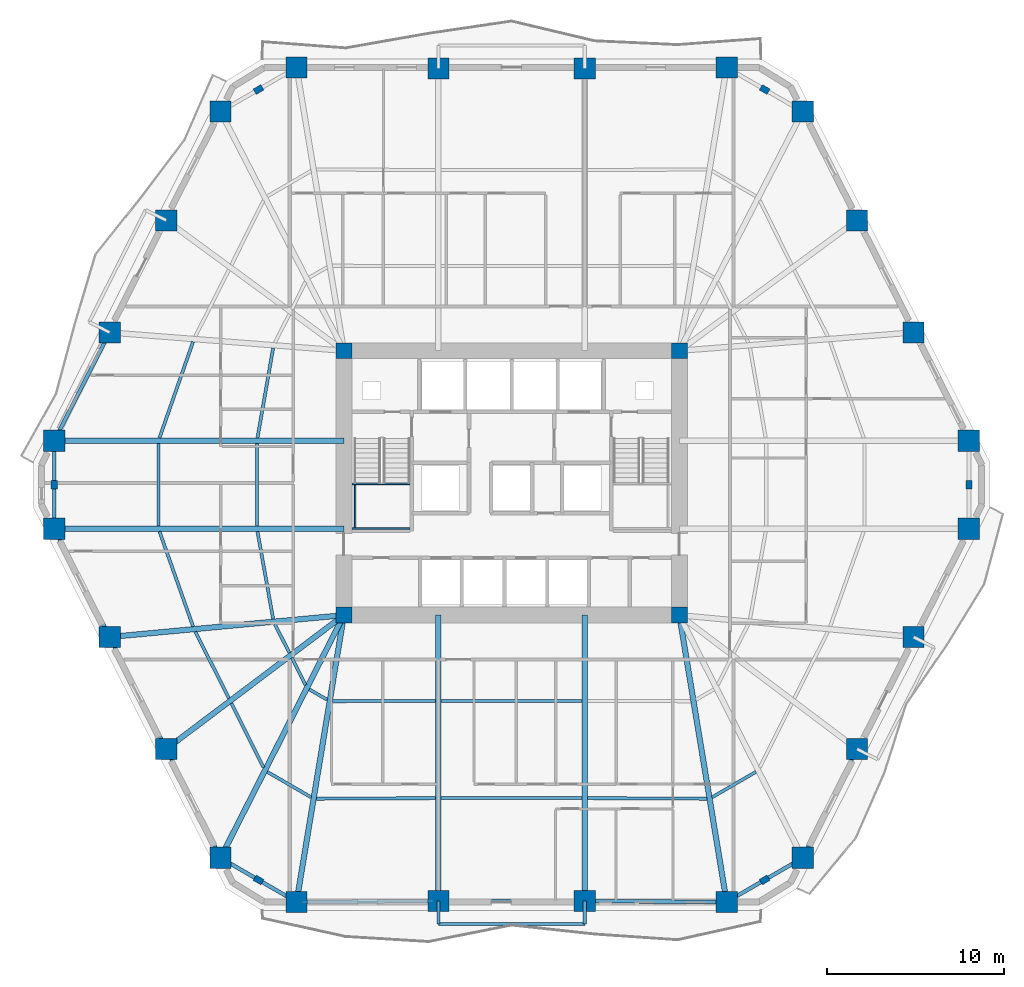
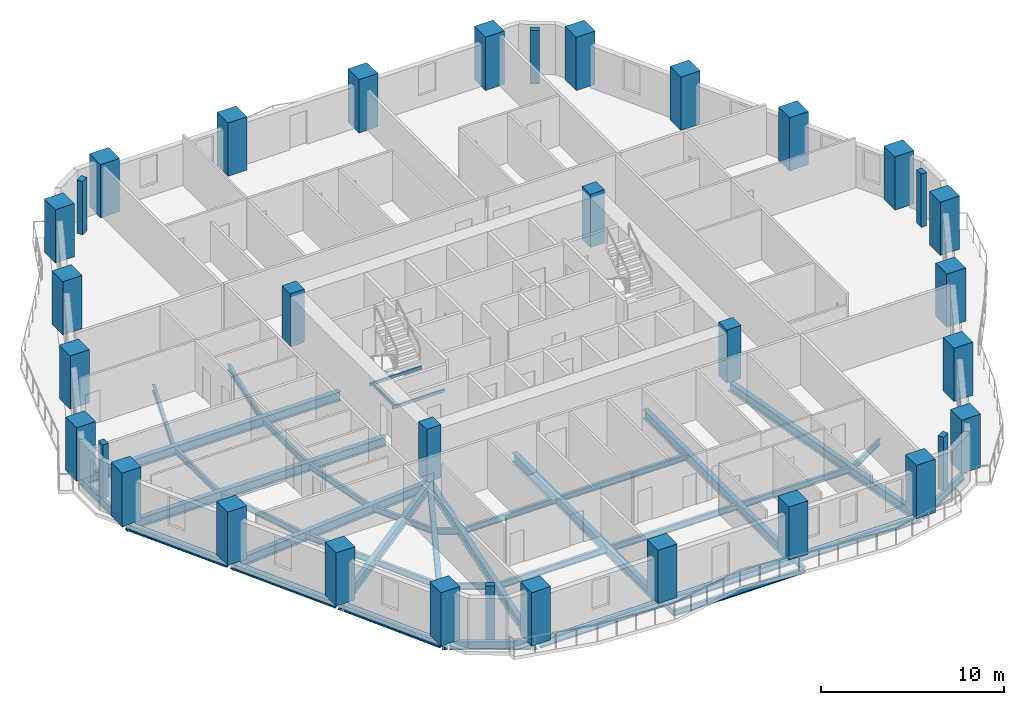
# One storey, part 1 of 12: 44 beams, 34 columns.
"""IFC4 building model written with IfcOpenShell, lengths in metres."""

from ifc_helpers import new_model, si_unit, direction, frame, origin, origin_2d, place, context, subcontext, project, spatial, rectangle, hollow_rectangle, i_section, extrude, material, material_profile, profile_set, type_object, element, save


model = new_model("IFC4")

# Units and contexts
model_context = context("Model", 3, precision=1e-05, world=origin(), true_north=direction((0.0, 1.0)))
body_context = subcontext(model_context, "Body", "Model", "MODEL_VIEW")
ifc_project = project(units=[si_unit("LENGTHUNIT", "METRE"), si_unit("AREAUNIT", "SQUARE_METRE"), si_unit("VOLUMEUNIT", "CUBIC_METRE"), si_unit("PLANEANGLEUNIT", "RADIAN"), si_unit("MASSUNIT", "GRAM", prefix="KILO")], contexts=[model_context])

# Site, building, storey
site_placement = place(None, origin())
site = spatial("IfcSite", under=ifc_project, at=site_placement, CompositionType="ELEMENT")
building_placement = place(site_placement, origin())
building = spatial("IfcBuilding", under=site, at=building_placement, Name="Cinnabar Lancet Tower", CompositionType="ELEMENT")
storey_placement = place(building_placement, frame((0.0, 0.0, 32.0)))
storey = spatial("IfcBuildingStorey", under=building, at=storey_placement, Name="L07", CompositionType="ELEMENT", Elevation=32.0)

# Columns
ifc_material_1 = material(Name="Concrete C80/95", Category="concrete")
ifc_material_profile_1 = material_profile(ifc_material_1, rectangle(XDim=0.89990234375, YDim=0.89990234375, at=origin_2d()), Name="RC-COL 900x900")
ifc_profile_set_1 = profile_set([ifc_material_profile_1], Name="Concrete C80/95")
column_type_1 = type_object("IfcColumnType", Name="STR-COL-CORE-900", PredefinedType="COLUMN", material=ifc_profile_set_1)
for number, where, z_axis, x_axis, name in (
    (1, (22.949951171875, 18.449951171875, 0.0), (0.0, 0.0, 1.0), (1.0, 0.0, 0.0), "L07 Core Corner Column SW"),
    (2, (41.85009765625, 18.449951171875, 0.0), (0.0, 0.0, 1.0), (1.0, 0.0, 0.0), "L07 Core Corner Column SE"),
    (3, (41.85009765625, 33.35009765625, 0.0), (0.0, 0.0, 1.0), (1.0, 0.0, 0.0), "L07 Core Corner Column NE"),
    (4, (22.949951171875, 33.35009765625, 0.0), (0.0, 0.0, 1.0), (1.0, 0.0, 0.0), "L07 Core Corner Column NW"),
):
    element("IfcColumn", number, at=place(storey_placement, frame(where, z_axis=z_axis, x_axis=x_axis)), inside=storey, type_object=column_type_1, Name=name, PredefinedType="COLUMN", context=body_context, shape_type="SweptSolid", body=[
        extrude(rectangle(XDim=0.89990234375, YDim=0.89990234375, at=origin_2d()), origin(), (0.0, 0.0, 1.0), 3.550048828125),
    ])
ifc_material_2 = material(Name="Concrete C60/75", Category="concrete")
ifc_material_profile_2 = material_profile(ifc_material_2, rectangle(XDim=0.5, YDim=0.35009765625, at=origin_2d()), Name="RC-PIL 500x350")
ifc_profile_set_2 = profile_set([ifc_material_profile_2], Name="Concrete C60/75")
column_type_2 = type_object("IfcColumnType", Name="STR-COL-PIL-500", PredefinedType="PILASTER", material=ifc_profile_set_2)
for number, where, z_axis, x_axis, name in (
    (5, (18.139892578125, 3.531005859375, 0.0), (0.0, 0.0, 1.0), (0.865195182343, -0.501435236546, 0.0), "L07 Chamfered Corner Pilaster 1"),
    (6, (46.659912109375, 3.531005859375, 0.0), (0.0, 0.0, 1.0), (0.865195182343, 0.501435236546, 0.0), "L07 Chamfered Corner Pilaster 2"),
    (7, (58.16796875, 25.800048828125, 0.0), (0.0, 0.0, 1.0), (0.0, 1.0, 0.0), "L07 Chamfered Corner Pilaster 3"),
    (8, (46.659912109375, 48.069091796875, 0.0), (0.0, 0.0, 1.0), (-0.865195182343, 0.501435236546, 0.0), "L07 Chamfered Corner Pilaster 4"),
    (9, (18.139892578125, 48.069091796875, 0.0), (0.0, 0.0, 1.0), (-0.865195182343, -0.501435236546, 0.0), "L07 Chamfered Corner Pilaster 5"),
    (10, (6.632080078125, 25.800048828125, 0.0), (0.0, 0.0, 1.0), (0.0, -1.0, 0.0), "L07 Chamfered Corner Pilaster 6"),
):
    element("IfcColumn", number, at=place(storey_placement, frame(where, z_axis=z_axis, x_axis=x_axis)), inside=storey, type_object=column_type_2, Name=name, PredefinedType="PILASTER", context=body_context, shape_type="SweptSolid", body=[
        extrude(rectangle(XDim=0.5, YDim=0.35009765625, at=origin_2d()), origin(), (0.0, 0.0, 1.0), 3.550048828125),
    ])
ifc_material_3 = material(Name="Concrete C80/95", Category="concrete")
ifc_material_profile_3 = material_profile(ifc_material_3, rectangle(XDim=1.199951171875, YDim=1.199951171875, at=origin_2d()), Name="RC-COL 1200x1200")
ifc_profile_set_3 = profile_set([ifc_material_profile_3], Name="Concrete C80/95")
column_type_3 = type_object("IfcColumnType", Name="STR-COL-TUBE-1200", PredefinedType="COLUMN", material=ifc_profile_set_3)
for number, where, z_axis, x_axis, name in (
    (11, (20.282958984375, 2.2890625, 0.0), (0.0, 0.0, 1.0), (1.0, 0.0, 0.0), "L07 Perimeter Tube Column 1"),
    (12, (28.278076171875, 2.342041015625, 0.0), (0.0, 0.0, 1.0), (1.0, 0.0, 0.0), "L07 Perimeter Tube Column 2"),
    (13, (36.52197265625, 2.342041015625, 0.0), (0.0, 0.0, 1.0), (1.0, 0.0, 0.0), "L07 Perimeter Tube Column 3"),
    (14, (44.51708984375, 2.2890625, 0.0), (0.0, 0.0, 1.0), (1.0, 0.0, 0.0), "L07 Perimeter Tube Column 4"),
    (15, (48.802978515625, 4.77294921875, 0.0), (0.0, 0.0, 1.0), (1.0, 0.0, 0.0), "L07 Perimeter Tube Column 5"),
    (16, (51.85888671875, 10.908935546875, 0.0), (0.0, 0.0, 1.0), (1.0, 0.0, 0.0), "L07 Perimeter Tube Column 6"),
    (17, (55.0458984375, 17.219970703125, 0.0), (0.0, 0.0, 1.0), (1.0, 0.0, 0.0), "L07 Perimeter Tube Column 7"),
    (18, (58.16796875, 23.31396484375, 0.0), (0.0, 0.0, 1.0), (1.0, 0.0, 0.0), "L07 Perimeter Tube Column 8"),
    (19, (58.16796875, 28.285888671875, 0.0), (0.0, 0.0, 1.0), (1.0, 0.0, 0.0), "L07 Perimeter Tube Column 9"),
    (20, (55.0458984375, 34.3798828125, 0.0), (0.0, 0.0, 1.0), (1.0, 0.0, 0.0), "L07 Perimeter Tube Column 10"),
    (21, (51.85888671875, 40.69091796875, 0.0), (0.0, 0.0, 1.0), (1.0, 0.0, 0.0), "L07 Perimeter Tube Column 11"),
    (22, (48.802978515625, 46.826904296875, 0.0), (0.0, 0.0, 1.0), (1.0, 0.0, 0.0), "L07 Perimeter Tube Column 12"),
    (23, (44.51708984375, 49.31103515625, 0.0), (0.0, 0.0, 1.0), (1.0, 0.0, 0.0), "L07 Perimeter Tube Column 13"),
    (24, (36.52197265625, 49.258056640625, 0.0), (0.0, 0.0, 1.0), (1.0, 0.0, 0.0), "L07 Perimeter Tube Column 14"),
    (25, (28.278076171875, 49.258056640625, 0.0), (0.0, 0.0, 1.0), (1.0, 0.0, 0.0), "L07 Perimeter Tube Column 15"),
    (26, (20.282958984375, 49.31103515625, 0.0), (0.0, 0.0, 1.0), (1.0, 0.0, 0.0), "L07 Perimeter Tube Column 16"),
    (27, (15.9970703125, 46.826904296875, 0.0), (0.0, 0.0, 1.0), (1.0, 0.0, 0.0), "L07 Perimeter Tube Column 17"),
    (28, (12.94091796875, 40.69091796875, 0.0), (0.0, 0.0, 1.0), (1.0, 0.0, 0.0), "L07 Perimeter Tube Column 18"),
    (29, (9.75390625, 34.3798828125, 0.0), (0.0, 0.0, 1.0), (1.0, 0.0, 0.0), "L07 Perimeter Tube Column 19"),
    (30, (6.632080078125, 28.285888671875, 0.0), (0.0, 0.0, 1.0), (1.0, 0.0, 0.0), "L07 Perimeter Tube Column 20"),
    (31, (6.632080078125, 23.31396484375, 0.0), (0.0, 0.0, 1.0), (1.0, 0.0, 0.0), "L07 Perimeter Tube Column 21"),
    (32, (9.75390625, 17.219970703125, 0.0), (0.0, 0.0, 1.0), (1.0, 0.0, 0.0), "L07 Perimeter Tube Column 22"),
    (33, (12.94091796875, 10.908935546875, 0.0), (0.0, 0.0, 1.0), (1.0, 0.0, 0.0), "L07 Perimeter Tube Column 23"),
    (34, (15.9970703125, 4.77294921875, 0.0), (0.0, 0.0, 1.0), (1.0, 0.0, 0.0), "L07 Perimeter Tube Column 24"),
):
    element("IfcColumn", number, at=place(storey_placement, frame(where, z_axis=z_axis, x_axis=x_axis)), inside=storey, type_object=column_type_3, Name=name, PredefinedType="COLUMN", context=body_context, shape_type="SweptSolid", body=[
        extrude(rectangle(XDim=1.199951171875, YDim=1.199951171875, at=origin_2d()), origin(), (0.0, 0.0, 1.0), 3.550048828125),
    ])

# Beams
ifc_material_4 = material(Name="Structural steel S355", Category="steel")
ifc_material_profile_4 = material_profile(ifc_material_4, i_section(OverallWidth=0.177978515625, OverallDepth=0.406494140625, WebThickness=0.0078125, FlangeThickness=0.0126953125, FilletRadius=0.01025390625, at=origin_2d()), Name="UKB 406x178x60")
ifc_profile_set_4 = profile_set([ifc_material_profile_4], Name="Structural steel S355")
beam_type_1 = type_object("IfcBeamType", Name="STR-BM-JST-406", PredefinedType="JOIST", material=ifc_profile_set_4)
beam_1_placement = place(storey_placement, frame((12.56103515625, 23.159912109375, -0.423095703125), z_axis=(0.333349133153, -0.942803455353, 0.0), x_axis=(0.942803455353, 0.333349133153, 0.0)))
element("IfcBeam", 35, at=beam_1_placement, inside=storey, type_object=beam_type_1, Name="L07 Secondary Floor Joist 1", PredefinedType="JOIST", context=body_context, shape_type="SweptSolid", body=[
    extrude(i_section(OverallWidth=0.177978515625, OverallDepth=0.406494140625, WebThickness=0.0078125, FlangeThickness=0.0126953125, FilletRadius=0.01025390625, at=origin_2d()), origin(), (0.0, 0.0, 1.0), 5.67236328125),
])
beam_2_placement = place(storey_placement, frame((18.08203125, 23.159912109375, -0.423095703125), z_axis=(0.176227857104, -0.984349400559, 0.0), x_axis=(0.984349400559, 0.176227857104, 0.0)))
element("IfcBeam", 36, at=beam_2_placement, inside=storey, type_object=beam_type_1, Name="L07 Secondary Floor Joist 2", PredefinedType="JOIST", context=body_context, shape_type="SweptSolid", body=[
    extrude(i_section(OverallWidth=0.177978515625, OverallDepth=0.406494140625, WebThickness=0.0078125, FlangeThickness=0.0126953125, FilletRadius=0.01025390625, at=origin_2d()), origin(), (0.0, 0.0, 1.0), 5.00537109375),
])
beam_3_placement = place(storey_placement, frame((14.5791015625, 17.51611328125, -0.423095703125), z_axis=(0.450717414682, -0.892666685893, 0.0), x_axis=(0.892666685893, 0.450717414682, 0.0)))
element("IfcBeam", 37, at=beam_3_placement, inside=storey, type_object=beam_type_1, Name="L07 Secondary Floor Joist 3", PredefinedType="JOIST", context=body_context, shape_type="SweptSolid", body=[
    extrude(i_section(OverallWidth=0.177978515625, OverallDepth=0.406494140625, WebThickness=0.0078125, FlangeThickness=0.0126953125, FilletRadius=0.01025390625, at=origin_2d()), origin(), (0.0, 0.0, 1.0), 4.204345703125),
])
beam_4_placement = place(storey_placement, frame((19.06591796875, 17.93408203125, -0.423095703125), z_axis=(0.450519589093, -0.892766542744, 0.0), x_axis=(0.892766542744, 0.450519589093, 0.0)))
element("IfcBeam", 38, at=beam_4_placement, inside=storey, type_object=beam_type_1, Name="L07 Secondary Floor Joist 4", PredefinedType="JOIST", context=body_context, shape_type="SweptSolid", body=[
    extrude(i_section(OverallWidth=0.177978515625, OverallDepth=0.406494140625, WebThickness=0.0078125, FlangeThickness=0.0126953125, FilletRadius=0.01025390625, at=origin_2d()), origin(), (0.0, 0.0, 1.0), 1.80029296875),
])
beam_5_placement = place(storey_placement, frame((16.614013671875, 13.48388671875, -0.423095703125), z_axis=(0.445835127839, -0.895115098065, 0.0), x_axis=(0.895115098065, 0.445835127839, 0.0)))
element("IfcBeam", 39, at=beam_5_placement, inside=storey, type_object=beam_type_1, Name="L07 Secondary Floor Joist 5", PredefinedType="JOIST", context=body_context, shape_type="SweptSolid", body=[
    extrude(i_section(OverallWidth=0.177978515625, OverallDepth=0.406494140625, WebThickness=0.0078125, FlangeThickness=0.0126953125, FilletRadius=0.01025390625, at=origin_2d()), origin(), (0.0, 0.0, 1.0), 4.03955078125),
])
beam_6_placement = place(storey_placement, frame((20.01708984375, 16.048095703125, -0.423095703125), z_axis=(0.44578468599, -0.895140220154, 0.0), x_axis=(0.895140220154, 0.44578468599, 0.0)))
element("IfcBeam", 40, at=beam_6_placement, inside=storey, type_object=beam_type_1, Name="L07 Secondary Floor Joist 6", PredefinedType="JOIST", context=body_context, shape_type="SweptSolid", body=[
    extrude(i_section(OverallWidth=0.177978515625, OverallDepth=0.406494140625, WebThickness=0.0078125, FlangeThickness=0.0126953125, FilletRadius=0.01025390625, at=origin_2d()), origin(), (0.0, 0.0, 1.0), 1.709228515625),
])
beam_7_placement = place(storey_placement, frame((18.633056640625, 9.6201171875, -0.423095703125), z_axis=(0.865076496111, -0.501639966387, 0.0), x_axis=(0.501639966387, 0.865076496111, 0.0)))
element("IfcBeam", 41, at=beam_7_placement, inside=storey, type_object=beam_type_1, Name="L07 Secondary Floor Joist 7", PredefinedType="JOIST", context=body_context, shape_type="SweptSolid", body=[
    extrude(i_section(OverallWidth=0.177978515625, OverallDepth=0.406494140625, WebThickness=0.0078125, FlangeThickness=0.0126953125, FilletRadius=0.01025390625, at=origin_2d()), origin(), (0.0, 0.0, 1.0), 2.85302734375),
])
beam_8_placement = place(storey_placement, frame((20.9970703125, 14.27001953125, -0.423095703125), z_axis=(0.865192550274, -0.50143977799, 0.0), x_axis=(0.50143977799, 0.865192550274, 0.0)))
element("IfcBeam", 42, at=beam_8_placement, inside=storey, type_object=beam_type_1, Name="L07 Secondary Floor Joist 8", PredefinedType="JOIST", context=body_context, shape_type="SweptSolid", body=[
    extrude(i_section(OverallWidth=0.177978515625, OverallDepth=0.406494140625, WebThickness=0.0078125, FlangeThickness=0.0126953125, FilletRadius=0.01025390625, at=origin_2d()), origin(), (0.0, 0.0, 1.0), 1.16845703125),
])
beam_9_placement = place(storey_placement, frame((21.39892578125, 8.10791015625, -0.423095703125), z_axis=(0.999988691939, 0.004755627628, 0.0), x_axis=(-0.004755627628, 0.999988691939, 0.0)))
element("IfcBeam", 43, at=beam_9_placement, inside=storey, type_object=beam_type_1, Name="L07 Secondary Floor Joist 9", PredefinedType="JOIST", context=body_context, shape_type="SweptSolid", body=[
    extrude(i_section(OverallWidth=0.177978515625, OverallDepth=0.406494140625, WebThickness=0.0078125, FlangeThickness=0.0126953125, FilletRadius=0.01025390625, at=origin_2d()), origin(), (0.0, 0.0, 1.0), 6.72509765625),
])
beam_10_placement = place(storey_placement, frame((22.305908203125, 13.60205078125, -0.423095703125), z_axis=(0.999996724007, 0.002559682773, 0.0), x_axis=(-0.002559682773, 0.999996724007, 0.0)))
element("IfcBeam", 44, at=beam_10_placement, inside=storey, type_object=beam_type_1, Name="L07 Secondary Floor Joist 10", PredefinedType="JOIST", context=body_context, shape_type="SweptSolid", body=[
    extrude(i_section(OverallWidth=0.177978515625, OverallDepth=0.406494140625, WebThickness=0.0078125, FlangeThickness=0.0126953125, FilletRadius=0.01025390625, at=origin_2d()), origin(), (0.0, 0.0, 1.0), 5.818115234375),
])
for number, where, z_axis, x_axis, name in (
    (45, (28.431884765625, 8.14111328125, -0.423095703125), (1.0, 0.0, 0.0), (0.0, 1.0, 0.0), "L07 Secondary Floor Joist 11"),
    (46, (28.431884765625, 13.617919921875, -0.423095703125), (1.0, 0.0, 0.0), (0.0, 1.0, 0.0), "L07 Secondary Floor Joist 12"),
):
    element("IfcBeam", number, at=place(storey_placement, frame(where, z_axis=z_axis, x_axis=x_axis)), inside=storey, type_object=beam_type_1, Name=name, PredefinedType="JOIST", context=body_context, shape_type="SweptSolid", body=[
        extrude(i_section(OverallWidth=0.177978515625, OverallDepth=0.406494140625, WebThickness=0.0078125, FlangeThickness=0.0126953125, FilletRadius=0.01025390625, at=origin_2d()), origin(), (0.0, 0.0, 1.0), 7.93603515625),
    ])
beam_11_placement = place(storey_placement, frame((36.676025390625, 8.139892578125, -0.423095703125), z_axis=(0.999988691118, -0.004755800274, 0.0), x_axis=(0.004755800274, 0.999988691118, 0.0)))
element("IfcBeam", 47, at=beam_11_placement, inside=storey, type_object=beam_type_1, Name="L07 Secondary Floor Joist 13", PredefinedType="JOIST", context=body_context, shape_type="SweptSolid", body=[
    extrude(i_section(OverallWidth=0.177978515625, OverallDepth=0.406494140625, WebThickness=0.0078125, FlangeThickness=0.0126953125, FilletRadius=0.01025390625, at=origin_2d()), origin(), (0.0, 0.0, 1.0), 6.724853515625),
])
beam_12_placement = place(storey_placement, frame((43.698974609375, 8.18896484375, -0.423095703125), z_axis=(0.865076496111, 0.501639966387, 0.0), x_axis=(-0.501639966387, 0.865076496111, 0.0)))
element("IfcBeam", 48, at=beam_12_placement, inside=storey, type_object=beam_type_1, Name="L07 Secondary Floor Joist 15", PredefinedType="JOIST", context=body_context, shape_type="SweptSolid", body=[
    extrude(i_section(OverallWidth=0.177978515625, OverallDepth=0.406494140625, WebThickness=0.0078125, FlangeThickness=0.0126953125, FilletRadius=0.01025390625, at=origin_2d()), origin(), (0.0, 0.0, 1.0), 2.85302734375),
])
beam_13_placement = place(storey_placement, frame((14.451904296875, 33.85888671875, -0.423095703125), z_axis=(-0.329607609001, -0.944118013857, 0.0), x_axis=(0.944118013857, -0.329607609001, 0.0)))
element("IfcBeam", 49, at=beam_13_placement, inside=storey, type_object=beam_type_1, Name="L07 Secondary Floor Joist 45", PredefinedType="JOIST", context=body_context, shape_type="SweptSolid", body=[
    extrude(i_section(OverallWidth=0.177978515625, OverallDepth=0.406494140625, WebThickness=0.0078125, FlangeThickness=0.0126953125, FilletRadius=0.01025390625, at=origin_2d()), origin(), (0.0, 0.0, 1.0), 5.73974609375),
])
beam_14_placement = place(storey_placement, frame((18.965087890625, 33.507080078125, -0.423095703125), z_axis=(-0.171867959611, -0.985119994954, 0.0), x_axis=(0.985119994954, -0.171867959611, 0.0)))
element("IfcBeam", 50, at=beam_14_placement, inside=storey, type_object=beam_type_1, Name="L07 Secondary Floor Joist 46", PredefinedType="JOIST", context=body_context, shape_type="SweptSolid", body=[
    extrude(i_section(OverallWidth=0.177978515625, OverallDepth=0.406494140625, WebThickness=0.0078125, FlangeThickness=0.0126953125, FilletRadius=0.01025390625, at=origin_2d()), origin(), (0.0, 0.0, 1.0), 5.1435546875),
])
for number, where, z_axis, x_axis, name in (
    (51, (12.506103515625, 28.132080078125, -0.423095703125), (0.0, -1.0, 0.0), (1.0, 0.0, 0.0), "L07 Secondary Floor Joist 47"),
    (52, (18.054931640625, 28.132080078125, -0.423095703125), (0.0, -1.0, 0.0), (1.0, 0.0, 0.0), "L07 Secondary Floor Joist 48"),
):
    element("IfcBeam", number, at=place(storey_placement, frame(where, z_axis=z_axis, x_axis=x_axis)), inside=storey, type_object=beam_type_1, Name=name, PredefinedType="JOIST", context=body_context, shape_type="SweptSolid", body=[
        extrude(i_section(OverallWidth=0.177978515625, OverallDepth=0.406494140625, WebThickness=0.0078125, FlangeThickness=0.0126953125, FilletRadius=0.01025390625, at=origin_2d()), origin(), (0.0, 0.0, 1.0), 4.6640625),
    ])
ifc_material_5 = material(Name="Structural steel S355", Category="steel")
ifc_material_profile_5 = material_profile(ifc_material_5, hollow_rectangle(XDim=0.10009765625, YDim=0.199951171875, WallThickness=0.008056640625, InnerFilletRadius=0.00390625, OuterFilletRadius=0.011962890625, at=origin_2d()), Name="RHS 200x100x8")
ifc_profile_set_5 = profile_set([ifc_material_profile_5], Name="Structural steel S355")
beam_type_2 = type_object("IfcBeamType", Name="STR-BM-LND-203", PredefinedType="BEAM", material=ifc_profile_set_5)
for number, where, z_axis, x_axis, name in (
    (53, (23.39990234375, 23.330078125, 1.47509765625), (1.0, 0.0, 0.0), (0.0, 1.0, 0.0), "L07 ST-1-L07 Landing Support Beam S"),
    (54, (23.39990234375, 25.844970703125, 1.47509765625), (1.0, 0.0, 0.0), (0.0, 1.0, 0.0), "L07 ST-1-L07 Landing Support Beam N"),
):
    element("IfcBeam", number, at=place(storey_placement, frame(where, z_axis=z_axis, x_axis=x_axis)), inside=storey, type_object=beam_type_2, Name=name, PredefinedType="BEAM", context=body_context, shape_type="SweptSolid", body=[
        extrude(hollow_rectangle(XDim=0.10009765625, YDim=0.199951171875, WallThickness=0.008056640625, InnerFilletRadius=0.00390625, OuterFilletRadius=0.011962890625, at=origin_2d()), origin(), (0.0, 0.0, 1.0), 3.280029296875),
    ])
beam_15_placement = place(storey_placement, frame((23.580078125, 23.3798828125, 1.47509765625), z_axis=(0.0, 1.0, 0.0), x_axis=(-1.0, 0.0, 0.0)))
element("IfcBeam", 55, at=beam_15_placement, inside=storey, type_object=beam_type_2, Name="L07 ST-1-L07 Landing Side Trimmer Beam", PredefinedType="BEAM", context=body_context, shape_type="SweptSolid", body=[
    extrude(hollow_rectangle(XDim=0.10009765625, YDim=0.199951171875, WallThickness=0.008056640625, InnerFilletRadius=0.00390625, OuterFilletRadius=0.011962890625, at=origin_2d()), origin(), (0.0, 0.0, 1.0), 2.4150390625),
])
ifc_material_6 = material(Name="Structural steel S355", Category="steel")
ifc_material_profile_6 = material_profile(ifc_material_6, i_section(OverallWidth=0.209228515625, OverallDepth=0.533203125, WebThickness=0.010009765625, FlangeThickness=0.015625, FilletRadius=0.0126953125, at=origin_2d()), Name="UKB 533x210x92")
ifc_profile_set_6 = profile_set([ifc_material_profile_6], Name="Structural steel S355")
beam_type_3 = type_object("IfcBeamType", Name="STR-BM-SPN-533", PredefinedType="SPANDREL", material=ifc_profile_set_6)
beam_16_placement = place(storey_placement, frame((20.532958984375, 2.291015625, -0.487060546875), z_axis=(0.99997856757, 0.006547090947, 0.0), x_axis=(-0.006547090947, 0.99997856757, 0.0)))
element("IfcBeam", 56, at=beam_16_placement, inside=storey, type_object=beam_type_3, Name="L07 Perimeter Spandrel 1", PredefinedType="SPANDREL", context=body_context, shape_type="SweptSolid", body=[
    extrude(i_section(OverallWidth=0.209228515625, OverallDepth=0.533203125, WebThickness=0.010009765625, FlangeThickness=0.015625, FilletRadius=0.0126953125, at=origin_2d()), origin(), (0.0, 0.0, 1.0), 7.495361328125),
])
beam_17_placement = place(storey_placement, frame((28.528076171875, 2.342041015625, -0.487060546875), z_axis=(1.0, 0.0, 0.0), x_axis=(0.0, 1.0, 0.0)))
element("IfcBeam", 57, at=beam_17_placement, inside=storey, type_object=beam_type_3, Name="L07 Perimeter Spandrel 2", PredefinedType="SPANDREL", context=body_context, shape_type="SweptSolid", body=[
    extrude(i_section(OverallWidth=0.209228515625, OverallDepth=0.533203125, WebThickness=0.010009765625, FlangeThickness=0.015625, FilletRadius=0.0126953125, at=origin_2d()), origin(), (0.0, 0.0, 1.0), 7.743896484375),
])
beam_18_placement = place(storey_placement, frame((36.77197265625, 2.340087890625, -0.487060546875), z_axis=(0.99997856757, -0.006547090947, 0.0), x_axis=(0.006547090947, 0.99997856757, 0.0)))
element("IfcBeam", 58, at=beam_18_placement, inside=storey, type_object=beam_type_3, Name="L07 Perimeter Spandrel 3", PredefinedType="SPANDREL", context=body_context, shape_type="SweptSolid", body=[
    extrude(i_section(OverallWidth=0.209228515625, OverallDepth=0.533203125, WebThickness=0.010009765625, FlangeThickness=0.015625, FilletRadius=0.0126953125, at=origin_2d()), origin(), (0.0, 0.0, 1.0), 7.495361328125),
])
beam_19_placement = place(storey_placement, frame((44.73291015625, 2.4140625, -0.487060546875), z_axis=(0.865171017323, 0.501476929463, 0.0), x_axis=(-0.501476929463, 0.865171017323, 0.0)))
element("IfcBeam", 59, at=beam_19_placement, inside=storey, type_object=beam_type_3, Name="L07 Perimeter Spandrel 4", PredefinedType="SPANDREL", context=body_context, shape_type="SweptSolid", body=[
    extrude(i_section(OverallWidth=0.209228515625, OverallDepth=0.533203125, WebThickness=0.010009765625, FlangeThickness=0.015625, FilletRadius=0.0126953125, at=origin_2d()), origin(), (0.0, 0.0, 1.0), 4.45458984375),
])
beam_20_placement = place(storey_placement, frame((48.9140625, 4.9970703125, -0.487060546875), z_axis=(0.445953050023, 0.89505635419, 0.0), x_axis=(-0.89505635419, 0.445953050023, 0.0)))
element("IfcBeam", 60, at=beam_20_placement, inside=storey, type_object=beam_type_3, Name="L07 Perimeter Spandrel 5", PredefinedType="SPANDREL", context=body_context, shape_type="SweptSolid", body=[
    extrude(i_section(OverallWidth=0.209228515625, OverallDepth=0.533203125, WebThickness=0.010009765625, FlangeThickness=0.015625, FilletRadius=0.0126953125, at=origin_2d()), origin(), (0.0, 0.0, 1.0), 6.35498046875),
])
beam_21_placement = place(storey_placement, frame((9.639892578125, 34.156982421875, -0.487060546875), z_axis=(-0.455994051912, -0.889982822655, 0.0), x_axis=(0.889982822655, -0.455994051912, 0.0)))
element("IfcBeam", 61, at=beam_21_placement, inside=storey, type_object=beam_type_3, Name="L07 Perimeter Spandrel 19", PredefinedType="SPANDREL", context=body_context, shape_type="SweptSolid", body=[
    extrude(i_section(OverallWidth=0.209228515625, OverallDepth=0.533203125, WebThickness=0.010009765625, FlangeThickness=0.015625, FilletRadius=0.0126953125, at=origin_2d()), origin(), (0.0, 0.0, 1.0), 6.34619140625),
])
beam_22_placement = place(storey_placement, frame((6.632080078125, 28.035888671875, -0.487060546875), z_axis=(0.0, -1.0, 0.0), x_axis=(1.0, 0.0, 0.0)))
element("IfcBeam", 62, at=beam_22_placement, inside=storey, type_object=beam_type_3, Name="L07 Perimeter Spandrel 20", PredefinedType="SPANDREL", context=body_context, shape_type="SweptSolid", body=[
    extrude(i_section(OverallWidth=0.209228515625, OverallDepth=0.533203125, WebThickness=0.010009765625, FlangeThickness=0.015625, FilletRadius=0.0126953125, at=origin_2d()), origin(), (0.0, 0.0, 1.0), 4.471923828125),
])
beam_23_placement = place(storey_placement, frame((6.74609375, 23.091064453125, -0.487060546875), z_axis=(0.455994051912, -0.889982822655, 0.0), x_axis=(0.889982822655, 0.455994051912, 0.0)))
element("IfcBeam", 63, at=beam_23_placement, inside=storey, type_object=beam_type_3, Name="L07 Perimeter Spandrel 21", PredefinedType="SPANDREL", context=body_context, shape_type="SweptSolid", body=[
    extrude(i_section(OverallWidth=0.209228515625, OverallDepth=0.533203125, WebThickness=0.010009765625, FlangeThickness=0.015625, FilletRadius=0.0126953125, at=origin_2d()), origin(), (0.0, 0.0, 1.0), 6.34619140625),
])
beam_24_placement = place(storey_placement, frame((9.866943359375, 16.9970703125, -0.487060546875), z_axis=(0.450673532306, -0.892688841242, 0.0), x_axis=(0.892688841242, 0.450673532306, 0.0)))
element("IfcBeam", 64, at=beam_24_placement, inside=storey, type_object=beam_type_3, Name="L07 Perimeter Spandrel 22", PredefinedType="SPANDREL", context=body_context, shape_type="SweptSolid", body=[
    extrude(i_section(OverallWidth=0.209228515625, OverallDepth=0.533203125, WebThickness=0.010009765625, FlangeThickness=0.015625, FilletRadius=0.0126953125, at=origin_2d()), origin(), (0.0, 0.0, 1.0), 6.570068359375),
])
beam_25_placement = place(storey_placement, frame((13.052001953125, 10.68505859375, -0.487060546875), z_axis=(0.445953050023, -0.89505635419, 0.0), x_axis=(0.89505635419, 0.445953050023, 0.0)))
element("IfcBeam", 65, at=beam_25_placement, inside=storey, type_object=beam_type_3, Name="L07 Perimeter Spandrel 23", PredefinedType="SPANDREL", context=body_context, shape_type="SweptSolid", body=[
    extrude(i_section(OverallWidth=0.209228515625, OverallDepth=0.533203125, WebThickness=0.010009765625, FlangeThickness=0.015625, FilletRadius=0.0126953125, at=origin_2d()), origin(), (0.0, 0.0, 1.0), 6.35498046875),
])
beam_26_placement = place(storey_placement, frame((16.212890625, 4.64794921875, -0.487060546875), z_axis=(0.865171017323, -0.501476929463, 0.0), x_axis=(0.501476929463, 0.865171017323, 0.0)))
element("IfcBeam", 66, at=beam_26_placement, inside=storey, type_object=beam_type_3, Name="L07 Perimeter Spandrel 24", PredefinedType="SPANDREL", context=body_context, shape_type="SweptSolid", body=[
    extrude(i_section(OverallWidth=0.209228515625, OverallDepth=0.533203125, WebThickness=0.010009765625, FlangeThickness=0.015625, FilletRadius=0.0126953125, at=origin_2d()), origin(), (0.0, 0.0, 1.0), 4.45458984375),
])
ifc_material_7 = material(Name="Structural steel S355", Category="steel")
ifc_material_profile_7 = material_profile(ifc_material_7, i_section(OverallWidth=0.30712890625, OverallDepth=0.6201171875, WebThickness=0.01416015625, FlangeThickness=0.023681640625, FilletRadius=0.0166015625, at=origin_2d()), Name="UKB 610x305x179")
ifc_profile_set_7 = profile_set([ifc_material_profile_7], Name="Structural steel S355")
beam_type_4 = type_object("IfcBeamType", Name="STR-BM-UKB610-179", PredefinedType="BEAM", material=ifc_profile_set_7)
beam_27_placement = place(storey_placement, frame((12.94091796875, 10.908935546875, -0.530029296875), z_axis=(0.798686588468, 0.601747233812, 0.0), x_axis=(-0.601747233812, 0.798686588468, 0.0)))
element("IfcBeam", 67, at=beam_27_placement, inside=storey, type_object=beam_type_4, Name="L07 Corner Collector Girder 1", PredefinedType="BEAM", context=body_context, shape_type="SweptSolid", body=[
    extrude(i_section(OverallWidth=0.30712890625, OverallDepth=0.6201171875, WebThickness=0.01416015625, FlangeThickness=0.023681640625, FilletRadius=0.0166015625, at=origin_2d()), origin(), (0.0, 0.0, 1.0), 12.531982421875),
])
beam_28_placement = place(storey_placement, frame((20.282958984375, 2.2890625, -0.530029296875), z_axis=(0.162825264118, 0.986654921117, 0.0), x_axis=(-0.986654921117, 0.162825264118, 0.0)))
element("IfcBeam", 68, at=beam_28_placement, inside=storey, type_object=beam_type_4, Name="L07 Primary Floor Girder 1", PredefinedType="BEAM", context=body_context, shape_type="SweptSolid", body=[
    extrude(i_section(OverallWidth=0.30712890625, OverallDepth=0.6201171875, WebThickness=0.01416015625, FlangeThickness=0.023681640625, FilletRadius=0.0166015625, at=origin_2d()), origin(), (0.0, 0.0, 1.0), 16.37939453125),
])
for number, where, z_axis, x_axis, name in (
    (69, (28.278076171875, 2.342041015625, -0.530029296875), (0.0, 1.0, 0.0), (-1.0, 0.0, 0.0), "L07 Primary Floor Girder 2"),
    (70, (36.52197265625, 2.342041015625, -0.530029296875), (0.0, 1.0, 0.0), (-1.0, 0.0, 0.0), "L07 Primary Floor Girder 3"),
):
    element("IfcBeam", number, at=place(storey_placement, frame(where, z_axis=z_axis, x_axis=x_axis)), inside=storey, type_object=beam_type_4, Name=name, PredefinedType="BEAM", context=body_context, shape_type="SweptSolid", body=[
        extrude(i_section(OverallWidth=0.30712890625, OverallDepth=0.6201171875, WebThickness=0.01416015625, FlangeThickness=0.023681640625, FilletRadius=0.0166015625, at=origin_2d()), origin(), (0.0, 0.0, 1.0), 16.10791015625),
    ])
beam_29_placement = place(storey_placement, frame((44.51708984375, 2.2890625, -0.530029296875), z_axis=(-0.162825264118, 0.986654921117, 0.0), x_axis=(-0.986654921117, -0.162825264118, 0.0)))
element("IfcBeam", 71, at=beam_29_placement, inside=storey, type_object=beam_type_4, Name="L07 Primary Floor Girder 4", PredefinedType="BEAM", context=body_context, shape_type="SweptSolid", body=[
    extrude(i_section(OverallWidth=0.30712890625, OverallDepth=0.6201171875, WebThickness=0.01416015625, FlangeThickness=0.023681640625, FilletRadius=0.0166015625, at=origin_2d()), origin(), (0.0, 0.0, 1.0), 16.37939453125),
])
for number, where, z_axis, x_axis, name in (
    (72, (6.632080078125, 28.285888671875, -0.530029296875), (1.0, 0.0, 0.0), (0.0, 1.0, 0.0), "L07 Primary Floor Girder 20"),
    (73, (6.632080078125, 23.31396484375, -0.530029296875), (1.0, 0.0, 0.0), (0.0, 1.0, 0.0), "L07 Primary Floor Girder 21"),
):
    element("IfcBeam", number, at=place(storey_placement, frame(where, z_axis=z_axis, x_axis=x_axis)), inside=storey, type_object=beam_type_4, Name=name, PredefinedType="BEAM", context=body_context, shape_type="SweptSolid", body=[
        extrude(i_section(OverallWidth=0.30712890625, OverallDepth=0.6201171875, WebThickness=0.01416015625, FlangeThickness=0.023681640625, FilletRadius=0.0166015625, at=origin_2d()), origin(), (0.0, 0.0, 1.0), 16.31787109375),
    ])
beam_30_placement = place(storey_placement, frame((9.75390625, 17.219970703125, -0.530029296875), z_axis=(0.995684210255, 0.092805998987, 0.0), x_axis=(-0.092805998987, 0.995684210255, 0.0)))
element("IfcBeam", 74, at=beam_30_placement, inside=storey, type_object=beam_type_4, Name="L07 Primary Floor Girder 22", PredefinedType="BEAM", context=body_context, shape_type="SweptSolid", body=[
    extrude(i_section(OverallWidth=0.30712890625, OverallDepth=0.6201171875, WebThickness=0.01416015625, FlangeThickness=0.023681640625, FilletRadius=0.0166015625, at=origin_2d()), origin(), (0.0, 0.0, 1.0), 13.253173828125),
])
beam_31_placement = place(storey_placement, frame((15.9970703125, 4.77294921875, -0.530029296875), z_axis=(0.453167599586, 0.89142533433, 0.0), x_axis=(-0.89142533433, 0.453167599586, 0.0)))
element("IfcBeam", 75, at=beam_31_placement, inside=storey, type_object=beam_type_4, Name="L07 Primary Floor Girder 24", PredefinedType="BEAM", context=body_context, shape_type="SweptSolid", body=[
    extrude(i_section(OverallWidth=0.30712890625, OverallDepth=0.6201171875, WebThickness=0.01416015625, FlangeThickness=0.023681640625, FilletRadius=0.0166015625, at=origin_2d()), origin(), (0.0, 0.0, 1.0), 15.3427734375),
])
ifc_material_8 = material(Name="Structural steel S355", Category="steel")
ifc_material_profile_8 = material_profile(ifc_material_8, i_section(OverallWidth=0.17138671875, OverallDepth=0.35498046875, WebThickness=0.00732421875, FlangeThickness=0.011474609375, FilletRadius=0.01025390625, at=origin_2d()), Name="UKB 356x171x51")
ifc_profile_set_8 = profile_set([ifc_material_profile_8], Name="Structural steel S355")
beam_type_5 = type_object("IfcBeamType", Name="STR-BM-WAV-OUT", PredefinedType="BEAM", material=ifc_profile_set_8)
for number, where, z_axis, x_axis, name in (
    (76, (28.278076171875, 2.342041015625, -0.39697265625), (0.0, -1.0, 0.0), (1.0, 0.0, 0.0), "L07 Face 1 Balcony Outlooker A"),
    (77, (36.52197265625, 2.342041015625, -0.39697265625), (0.0, -1.0, 0.0), (1.0, 0.0, 0.0), "L07 Face 1 Balcony Outlooker B"),
):
    element("IfcBeam", number, at=place(storey_placement, frame(where, z_axis=z_axis, x_axis=x_axis)), inside=storey, type_object=beam_type_5, Name=name, PredefinedType="BEAM", context=body_context, shape_type="SweptSolid", body=[
        extrude(i_section(OverallWidth=0.17138671875, OverallDepth=0.35498046875, WebThickness=0.00732421875, FlangeThickness=0.011474609375, FilletRadius=0.01025390625, at=origin_2d()), origin(), (0.0, 0.0, 1.0), 1.300048828125),
    ])
ifc_material_9 = material(Name="Structural steel S355", Category="steel")
ifc_material_profile_9 = material_profile(ifc_material_9, i_section(OverallWidth=0.17138671875, OverallDepth=0.35498046875, WebThickness=0.00732421875, FlangeThickness=0.011474609375, FilletRadius=0.01025390625, at=origin_2d()), Name="UKB 356x171x51")
ifc_profile_set_9 = profile_set([ifc_material_profile_9], Name="Structural steel S355")
beam_type_6 = type_object("IfcBeamType", Name="STR-BM-WAV-TRIM", PredefinedType="SPANDREL", material=ifc_profile_set_9)
beam_32_placement = place(storey_placement, frame((28.278076171875, 1.0419921875, -0.39697265625), z_axis=(1.0, 0.0, 0.0), x_axis=(0.0, 1.0, 0.0)))
element("IfcBeam", 78, at=beam_32_placement, inside=storey, type_object=beam_type_6, Name="L07 Face 1 Balcony Edge Trimmer", PredefinedType="SPANDREL", context=body_context, shape_type="SweptSolid", body=[
    extrude(i_section(OverallWidth=0.17138671875, OverallDepth=0.35498046875, WebThickness=0.00732421875, FlangeThickness=0.011474609375, FilletRadius=0.01025390625, at=origin_2d()), origin(), (0.0, 0.0, 1.0), 8.243896484375),
])

save(model, "model.ifc")
